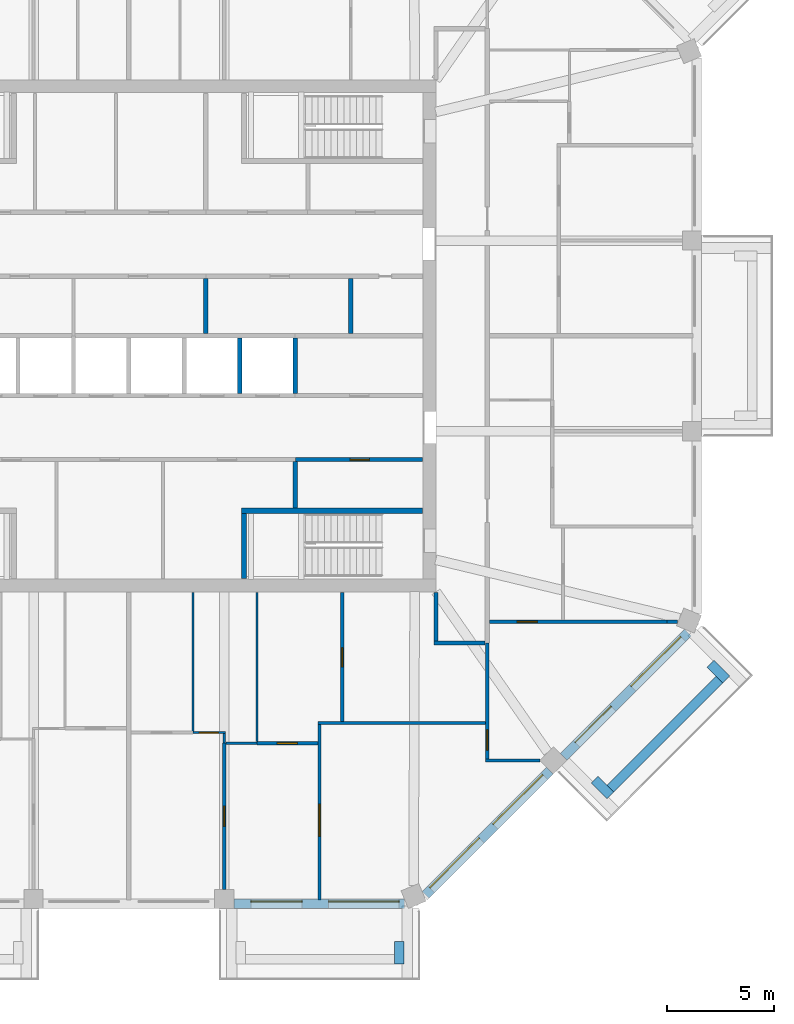
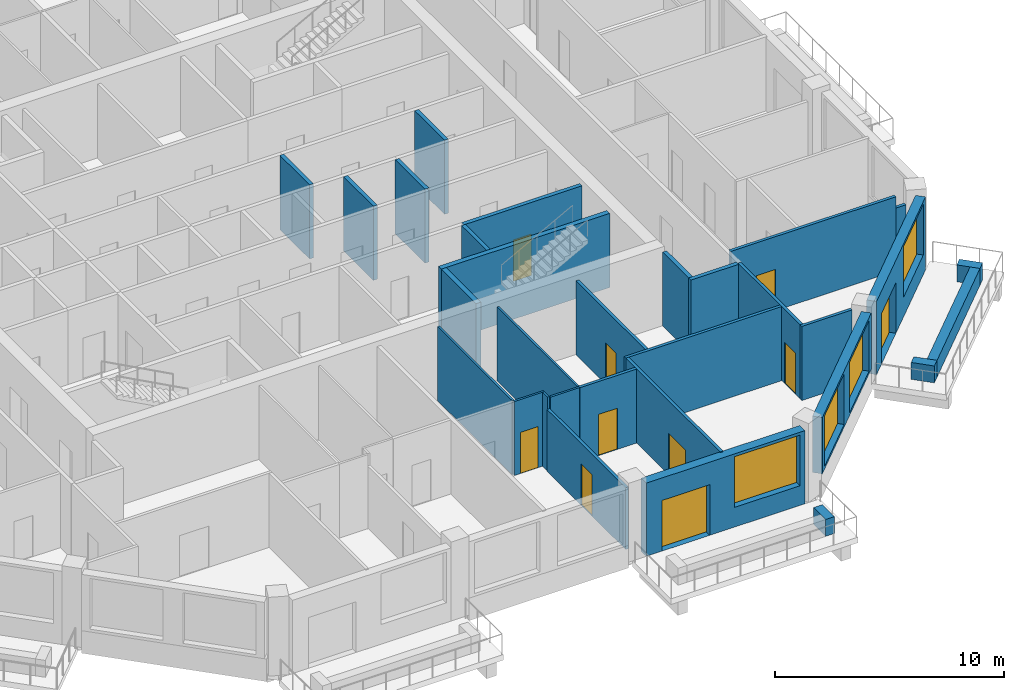
# One storey, part 5 of 12: 31 walls, 10 doors, 4 windows, 14 openings.
"""IFC4 building model written with IfcOpenShell, lengths in metres."""

from ifc_helpers import new_model, si_unit, direction, frame, frame_2d, origin, place, context, subcontext, project, spatial, rectangle, extrude, material, layer, layer_set, type_object, element, fill, save


model = new_model("IFC4")

# Units and contexts
model_context = context("Model", 3, precision=1e-05, world=origin(), true_north=direction((0.0, 1.0)))
body_context = subcontext(model_context, "Body", "Model", "MODEL_VIEW")
ifc_project = project(units=[si_unit("LENGTHUNIT", "METRE"), si_unit("AREAUNIT", "SQUARE_METRE"), si_unit("VOLUMEUNIT", "CUBIC_METRE"), si_unit("PLANEANGLEUNIT", "RADIAN"), si_unit("MASSUNIT", "GRAM", prefix="KILO")], contexts=[model_context])

# Site, building, storey
site_placement = place(None, origin())
site = spatial("IfcSite", under=ifc_project, at=site_placement, CompositionType="ELEMENT")
building_placement = place(site_placement, origin())
building = spatial("IfcBuilding", under=site, at=building_placement, Name="Msitu Wima Residences", CompositionType="ELEMENT")
storey_placement = place(building_placement, frame((0.0, 0.0, 251.699951171875)))
storey = spatial("IfcBuildingStorey", under=building, at=storey_placement, Name="L58", CompositionType="ELEMENT", Elevation=251.699951171875)

# Walls
ifc_material_1 = material(Name="Facing brick")
ifc_layer_1 = layer(ifc_material_1, 0.06494140625, Name="Facing brick")
ifc_material_2 = material(Name="Concrete C40/50", Category="concrete")
ifc_layer_2 = layer(ifc_material_2, 0.156005859375, Name="Concrete C40/50")
ifc_material_3 = material(Name="Waterproofing membrane")
ifc_layer_3 = layer(ifc_material_3, 0.00390625, Name="Waterproofing membrane")
ifc_material_4 = material(Name="Planting soil and planting")
ifc_layer_4 = layer(ifc_material_4, 0.22509765625, Name="Planting soil and planting")
ifc_layer_set_1 = layer_set([ifc_layer_1, ifc_layer_2, ifc_layer_3, ifc_layer_4], Name="Concrete C40/50")
wall_type_1 = type_object("IfcWallType", Name="Balcony planter PLANTER PL450", PredefinedType="USERDEFINED", material=ifc_layer_set_1)
wall_1_placement = place(storey_placement, frame((12.680908203125, -28.39990234375, 0.0), z_axis=(0.0, 0.0, 1.0), x_axis=(0.0, -1.0, 0.0)))
element("IfcWall", 1, at=wall_1_placement, inside=storey, type_object=wall_type_1, Name="Balcony planter S2 L58", ObjectType="PLANTER", PredefinedType="USERDEFINED", context=body_context, shape_type="SweptSolid", body=[
    extrude(rectangle(XDim=1.050048828125, YDim=0.449951171875, at=frame_2d((0.52490234375, 0.0))), origin(), (0.0, 0.0, 1.0), 0.900146484375),
])
wall_2_placement = place(storey_placement, frame((22.572265625, -21.228759765625, 0.0), z_axis=(0.0, 0.0, 1.0), x_axis=(0.707106781187, 0.707106781187, 0.0)))
element("IfcWall", 2, at=wall_2_placement, inside=storey, type_object=wall_type_1, Name="Balcony planter SE1 L58", ObjectType="PLANTER", PredefinedType="USERDEFINED", context=body_context, shape_type="SweptSolid", body=[
    extrude(rectangle(XDim=7.23828125, YDim=0.449951171875, at=frame_2d((3.619140625, 0.0))), origin(), (0.0, 0.0, 1.0), 0.900146484375),
])
for number, where, z_axis, x_axis, name in (
    (3, (21.829833984375, -20.804443359375, 0.0), (0.0, 0.0, 1.0), (0.707106781187, -0.707106781187, 0.0), "Balcony planter SE1 L58"),
    (4, (27.26611328125, -15.3681640625, 0.0), (0.0, 0.0, 1.0), (0.707223014731, -0.706990528533, 0.0), "Balcony planter SE1 L58"),
):
    element("IfcWall", number, at=place(storey_placement, frame(where, z_axis=z_axis, x_axis=x_axis)), inside=storey, type_object=wall_type_1, Name=name, ObjectType="PLANTER", PredefinedType="USERDEFINED", context=body_context, shape_type="SweptSolid", body=[
        extrude(rectangle(XDim=1.050048828125, YDim=0.449951171875, at=frame_2d((0.52490234375, 0.0))), origin(), (0.0, 0.0, 1.0), 0.900146484375),
    ])

# Wall, openings, door, window
ifc_material_5 = material(Name="Brick (red buff mix)", Category="masonry")
ifc_layer_5 = layer(ifc_material_5, 0.449951171875)
ifc_layer_set_2 = layer_set([ifc_layer_5], Name="Brick (red buff mix)")
wall_type_2 = type_object("IfcWallType", Name="Brick infill wall BW450", PredefinedType="SOLIDWALL", material=ifc_layer_set_2)
wall_3_placement = place(storey_placement, frame((4.918701171875, -26.625, 0.0), z_axis=(0.0, 0.0, 1.0), x_axis=(1.0, 0.0, 0.0)))
wall_3 = element("IfcWall", 5, at=wall_3_placement, inside=storey, type_object=wall_type_2, Name="Brick infill wall L58 S2", PredefinedType="SOLIDWALL", context=body_context, shape_type="SweptSolid", body=[
    extrude(rectangle(XDim=8.0, YDim=0.449951171875, at=frame_2d((4.0, 0.0))), origin(), (0.0, 0.0, 1.0), 3.900146484375),
])
opening_1_placement = place(wall_3_placement, frame((0.800048828125, 0.0, 0.0)))
opening_1 = element("IfcOpeningElement", 6, at=opening_1_placement, cuts=wall_3, Name="Opening D57-59.007", PredefinedType="OPENING", context=body_context, shape_type="SweptSolid", body=[
    extrude(rectangle(XDim=2.39990234375, YDim=2.699951171875, at=frame_2d((1.199951171875, 1.35009765625))), frame((0.0, 0.23486328125, 0.0), z_axis=(0.0, -1.0, 0.0), x_axis=(1.0, 0.0, 0.0)), (0.0, 0.0, 1.0), 0.469970703125),
])
opening_2_placement = place(wall_3_placement, frame((4.4501953125, 0.0, 1.050048828125)))
opening_2 = element("IfcOpeningElement", 7, at=opening_2_placement, cuts=wall_3, Name="Opening W57-59.019", PredefinedType="OPENING", context=body_context, shape_type="SweptSolid", body=[
    extrude(rectangle(XDim=3.300048828125, YDim=2.699951171875, at=frame_2d((1.64990234375, 1.35009765625))), frame((0.0, 0.23486328125, 0.0), z_axis=(0.0, -1.0, 0.0), x_axis=(1.0, 0.0, 0.0)), (0.0, 0.0, 1.0), 0.469970703125),
])
ifc_material_6 = material(Name="Anodised aluminium, bronze finish, clear low-emissivity double glazing", Category="aluminium")
door_type_1 = type_object("IfcDoorType", Name="Balcony door D2400x2700", OperationType="SLIDING_TO_LEFT", PredefinedType="DOOR", material=ifc_material_6)
door_1_placement = place(opening_1_placement, origin())
door_1 = element("IfcDoor", 8, at=door_1_placement, inside=storey, type_object=door_type_1, Name="Balcony door L58 S2", OperationType="SINGLE_SWING_LEFT", OverallHeight=2.699951171875, OverallWidth=2.39990234375, PredefinedType="DOOR", context=body_context, shape_type="SweptSolid", body=[
    extrude(rectangle(XDim=2.39990234375, YDim=2.699951171875, at=frame_2d((1.199951171875, 1.35009765625))), frame((0.0, 0.1298828125, 0.0), z_axis=(0.0, -1.0, 0.0), x_axis=(1.0, 0.0, 0.0)), (0.0, 0.0, 1.0), 0.050048828125),
])
fill(opening_1, door_1)
window_type = type_object("IfcWindowType", Name="Window W3300x2700", PartitioningType="DOUBLE_PANEL_VERTICAL", PredefinedType="WINDOW", material=ifc_material_6)
window_1_placement = place(opening_2_placement, origin())
window_1 = element("IfcWindow", 9, at=window_1_placement, inside=storey, type_object=window_type, Name="Window L58 S2.2", OverallHeight=2.699951171875, OverallWidth=3.300048828125, PartitioningType="SINGLE_PANEL", PredefinedType="WINDOW", context=body_context, shape_type="SweptSolid", body=[
    extrude(rectangle(XDim=3.300048828125, YDim=2.699951171875, at=frame_2d((1.64990234375, 1.35009765625))), frame((0.0, 0.135009765625, 0.0), z_axis=(0.0, -1.0, 0.0), x_axis=(1.0, 0.0, 0.0)), (0.0, 0.0, 1.0), 0.06005859375),
])
fill(opening_2, window_1)

# Wall, openings, windows
wall_4_placement = place(storey_placement, frame((13.909423828125, -26.214599609375, 0.900146484375), z_axis=(0.0, 0.0, 1.0), x_axis=(0.707106781187, 0.707106781187, 0.0)))
wall_4 = element("IfcWall", 10, at=wall_4_placement, inside=storey, type_object=wall_type_2, Name="Brick infill wall L58 SE0", PredefinedType="SOLIDWALL", context=body_context, shape_type="SweptSolid", body=[
    extrude(rectangle(XDim=8.251220703125, YDim=0.449951171875, at=frame_2d((4.12548828125, 0.0))), origin(), (0.0, 0.0, 1.0), 3.0),
])
opening_3_placement = place(wall_4_placement, frame((0.37548828125, 0.0, 0.14990234375)))
opening_3 = element("IfcOpeningElement", 11, at=opening_3_placement, cuts=wall_4, Name="Opening W57-59.020", PredefinedType="OPENING", context=body_context, shape_type="SweptSolid", body=[
    extrude(rectangle(XDim=3.300048828125, YDim=2.699951171875, at=frame_2d((1.64990234375, 1.35009765625))), frame((0.0, 0.23486328125, 0.0), z_axis=(0.0, -1.0, 0.0), x_axis=(1.0, 0.0, 0.0)), (0.0, 0.0, 1.0), 0.469970703125),
])
opening_4_placement = place(wall_4_placement, frame((4.57568359375, 0.0, 0.14990234375)))
opening_4 = element("IfcOpeningElement", 12, at=opening_4_placement, cuts=wall_4, Name="Opening W57-59.021", PredefinedType="OPENING", context=body_context, shape_type="SweptSolid", body=[
    extrude(rectangle(XDim=3.300048828125, YDim=2.699951171875, at=frame_2d((1.64990234375, 1.35009765625))), frame((0.0, 0.23486328125, 0.0), z_axis=(0.0, -1.0, 0.0), x_axis=(1.0, 0.0, 0.0)), (0.0, 0.0, 1.0), 0.469970703125),
])
window_2_placement = place(opening_3_placement, origin())
window_2 = element("IfcWindow", 13, at=window_2_placement, inside=storey, type_object=window_type, Name="Window L58 SE0.1", OverallHeight=2.699951171875, OverallWidth=3.300048828125, PartitioningType="SINGLE_PANEL", PredefinedType="WINDOW", context=body_context, shape_type="SweptSolid", body=[
    extrude(rectangle(XDim=3.300048828125, YDim=2.699951171875, at=frame_2d((1.64990234375, 1.35009765625))), frame((0.0, 0.135009765625, 0.0), z_axis=(0.0, -1.0, 0.0), x_axis=(1.0, 0.0, 0.0)), (0.0, 0.0, 1.0), 0.06005859375),
])
fill(opening_3, window_2)
window_3_placement = place(opening_4_placement, origin())
window_3 = element("IfcWindow", 14, at=window_3_placement, inside=storey, type_object=window_type, Name="Window L58 SE0.2", OverallHeight=2.699951171875, OverallWidth=3.300048828125, PartitioningType="SINGLE_PANEL", PredefinedType="WINDOW", context=body_context, shape_type="SweptSolid", body=[
    extrude(rectangle(XDim=3.300048828125, YDim=2.699951171875, at=frame_2d((1.64990234375, 1.35009765625))), frame((0.0, 0.135009765625, 0.0), z_axis=(0.0, -1.0, 0.0), x_axis=(1.0, 0.0, 0.0)), (0.0, 0.0, 1.0), 0.06005859375),
])
fill(opening_4, window_3)

# Wall, openings, door, window
wall_5_placement = place(storey_placement, frame((20.380126953125, -19.743896484375, 0.0), z_axis=(0.0, 0.0, 1.0), x_axis=(0.707106781187, 0.707106781187, 0.0)))
wall_5 = element("IfcWall", 15, at=wall_5_placement, inside=storey, type_object=wall_type_2, Name="Brick infill wall L58 SE1", PredefinedType="SOLIDWALL", context=body_context, shape_type="SweptSolid", body=[
    extrude(rectangle(XDim=8.251220703125, YDim=0.449951171875, at=frame_2d((4.12548828125, 0.0))), origin(), (0.0, 0.0, 1.0), 3.900146484375),
])
opening_5_placement = place(wall_5_placement, frame((0.86279296875, 0.0, 0.0)))
opening_5 = element("IfcOpeningElement", 16, at=opening_5_placement, cuts=wall_5, Name="Opening D57-59.008", PredefinedType="OPENING", context=body_context, shape_type="SweptSolid", body=[
    extrude(rectangle(XDim=2.39990234375, YDim=2.699951171875, at=frame_2d((1.199951171875, 1.35009765625))), frame((0.0, 0.23486328125, 0.0), z_axis=(0.0, -1.0, 0.0), x_axis=(1.0, 0.0, 0.0)), (0.0, 0.0, 1.0), 0.469970703125),
])
opening_6_placement = place(wall_5_placement, frame((4.57568359375, 0.0, 1.050048828125)))
opening_6 = element("IfcOpeningElement", 17, at=opening_6_placement, cuts=wall_5, Name="Opening W57-59.022", PredefinedType="OPENING", context=body_context, shape_type="SweptSolid", body=[
    extrude(rectangle(XDim=3.300048828125, YDim=2.699951171875, at=frame_2d((1.64990234375, 1.35009765625))), frame((0.0, 0.23486328125, 0.0), z_axis=(0.0, -1.0, 0.0), x_axis=(1.0, 0.0, 0.0)), (0.0, 0.0, 1.0), 0.469970703125),
])
door_2_placement = place(opening_5_placement, origin())
door_2 = element("IfcDoor", 18, at=door_2_placement, inside=storey, type_object=door_type_1, Name="Balcony door L58 SE1", OperationType="SINGLE_SWING_LEFT", OverallHeight=2.699951171875, OverallWidth=2.39990234375, PredefinedType="DOOR", context=body_context, shape_type="SweptSolid", body=[
    extrude(rectangle(XDim=2.39990234375, YDim=2.699951171875, at=frame_2d((1.199951171875, 1.35009765625))), frame((0.0, 0.1298828125, 0.0), z_axis=(0.0, -1.0, 0.0), x_axis=(1.0, 0.0, 0.0)), (0.0, 0.0, 1.0), 0.050048828125),
])
fill(opening_5, door_2)
window_4_placement = place(opening_6_placement, origin())
window_4 = element("IfcWindow", 19, at=window_4_placement, inside=storey, type_object=window_type, Name="Window L58 SE1.2", OverallHeight=2.699951171875, OverallWidth=3.300048828125, PartitioningType="SINGLE_PANEL", PredefinedType="WINDOW", context=body_context, shape_type="SweptSolid", body=[
    extrude(rectangle(XDim=3.300048828125, YDim=2.699951171875, at=frame_2d((1.64990234375, 1.35009765625))), frame((0.0, 0.135009765625, 0.0), z_axis=(0.0, -1.0, 0.0), x_axis=(1.0, 0.0, 0.0)), (0.0, 0.0, 1.0), 0.06005859375),
])
fill(opening_6, window_4)

# Walls
ifc_material_7 = material(Name="Plaster")
ifc_layer_6 = layer(ifc_material_7, 0.011962890625, Name="Plaster")
ifc_material_8 = material(Name="Concrete blockwork", Category="masonry")
ifc_layer_7 = layer(ifc_material_8, 0.176025390625, Name="Concrete blockwork")
ifc_layer_8 = layer(ifc_material_7, 0.011962890625, Name="Plaster")
ifc_layer_set_3 = layer_set([ifc_layer_6, ifc_layer_7, ifc_layer_8], Name="Concrete blockwork")
wall_type_3 = type_object("IfcWallType", Name="Corridor wall FW200", PredefinedType="PARTITIONING", material=ifc_layer_set_3)
wall_6_placement = place(storey_placement, frame((14.39990234375, -14.300048828125, 0.0), z_axis=(0.0, 0.0, 1.0), x_axis=(0.0, 1.0, 0.0)))
element("IfcWall", 20, at=wall_6_placement, inside=storey, type_object=wall_type_3, Name="Corridor wall", PredefinedType="PARTITIONING", context=body_context, shape_type="SweptSolid", body=[
    extrude(rectangle(XDim=2.27001953125, YDim=0.199951171875, at=frame_2d((1.135009765625, 0.0))), origin(), (0.0, 0.0, 1.0), 3.949951171875),
])
wall_7_placement = place(storey_placement, frame((14.300048828125, -14.39990234375, 0.0), z_axis=(0.0, 0.0, 1.0), x_axis=(1.0, 0.0, 0.0)))
element("IfcWall", 21, at=wall_7_placement, inside=storey, type_object=wall_type_3, Name="Corridor wall", PredefinedType="PARTITIONING", context=body_context, shape_type="SweptSolid", body=[
    extrude(rectangle(XDim=2.39990234375, YDim=0.199951171875, at=frame_2d((1.199951171875, 0.0))), origin(), (0.0, 0.0, 1.0), 3.949951171875),
])

# Wall, opening, door
ifc_layer_9 = layer(ifc_material_7, 0.011962890625, Name="Plaster")
ifc_layer_10 = layer(ifc_material_8, 0.1259765625, Name="Concrete blockwork")
ifc_layer_11 = layer(ifc_material_7, 0.011962890625, Name="Plaster")
ifc_layer_set_4 = layer_set([ifc_layer_9, ifc_layer_10, ifc_layer_11], Name="Concrete blockwork")
wall_type_4 = type_object("IfcWallType", Name="Partition PW150", PredefinedType="PARTITIONING", material=ifc_layer_set_4)
wall_8_placement = place(storey_placement, frame((4.46875, -25.949951171875, 0.0), z_axis=(0.0, 0.0, 1.0), x_axis=(0.0, 1.0, 0.0)))
wall_8 = element("IfcWall", 22, at=wall_8_placement, inside=storey, type_object=wall_type_4, Name="Partition", PredefinedType="PARTITIONING", context=body_context, shape_type="SweptSolid", body=[
    extrude(rectangle(XDim=6.869873046875, YDim=0.14990234375, at=frame_2d((3.43505859375, 0.0))), origin(), (0.0, 0.0, 1.0), 3.300048828125),
])
opening_7_placement = place(wall_8_placement, frame((2.949951171875, 0.0, 0.0)))
opening_7 = element("IfcOpeningElement", 23, at=opening_7_placement, cuts=wall_8, Name="Opening D57-59.052", PredefinedType="OPENING", context=body_context, shape_type="SweptSolid", body=[
    extrude(rectangle(XDim=0.949951171875, YDim=2.199951171875, at=frame_2d((0.47509765625, 1.10009765625))), frame((0.0, 0.0849609375, 0.0), z_axis=(0.0, -1.0, 0.0), x_axis=(1.0, 0.0, 0.0)), (0.0, 0.0, 1.0), 0.169921875),
])
ifc_material_9 = material(Name="Timber flush door", Category="wood")
door_type_2 = type_object("IfcDoorType", Name="Room door D12 950x2200", OperationType="SINGLE_SWING_LEFT", PredefinedType="DOOR", material=ifc_material_9)
door_3_placement = place(opening_7_placement, origin())
door_3 = element("IfcDoor", 24, at=door_3_placement, inside=storey, type_object=door_type_2, Name="Room door", OperationType="SINGLE_SWING_LEFT", OverallHeight=2.199951171875, OverallWidth=0.949951171875, PredefinedType="DOOR", context=body_context, shape_type="SweptSolid", body=[
    extrude(rectangle(XDim=0.949951171875, YDim=2.199951171875, at=frame_2d((0.47509765625, 1.10009765625))), frame((0.0, 0.02490234375, 0.0), z_axis=(0.0, -1.0, 0.0), x_axis=(1.0, 0.0, 0.0)), (0.0, 0.0, 1.0), 0.050048828125),
])
fill(opening_7, door_3)

wall_9_placement = place(storey_placement, frame((6.0, -19.10009765625, 0.0), z_axis=(0.0, 0.0, 1.0), x_axis=(1.0, 0.0, 0.0)))
wall_9 = element("IfcWall", 25, at=wall_9_placement, inside=storey, type_object=wall_type_4, Name="Partition", PredefinedType="PARTITIONING", context=body_context, shape_type="SweptSolid", body=[
    extrude(rectangle(XDim=2.8623046875, YDim=0.14990234375, at=frame_2d((1.43115234375, 0.0))), origin(), (0.0, 0.0, 1.0), 3.949951171875),
])
opening_8_placement = place(wall_9_placement, frame((0.949951171875, 0.0, 0.0)))
opening_8 = element("IfcOpeningElement", 26, at=opening_8_placement, cuts=wall_9, Name="Opening D57-59.061", PredefinedType="OPENING", context=body_context, shape_type="SweptSolid", body=[
    extrude(rectangle(XDim=0.949951171875, YDim=2.199951171875, at=frame_2d((0.47509765625, 1.10009765625))), frame((0.0, 0.0849609375, 0.0), z_axis=(0.0, -1.0, 0.0), x_axis=(1.0, 0.0, 0.0)), (0.0, 0.0, 1.0), 0.169921875),
])
door_4_placement = place(opening_8_placement, origin())
door_4 = element("IfcDoor", 27, at=door_4_placement, inside=storey, type_object=door_type_2, Name="Room door", OperationType="SINGLE_SWING_LEFT", OverallHeight=2.199951171875, OverallWidth=0.949951171875, PredefinedType="DOOR", context=body_context, shape_type="SweptSolid", body=[
    extrude(rectangle(XDim=0.949951171875, YDim=2.199951171875, at=frame_2d((0.47509765625, 1.10009765625))), frame((0.0, 0.02490234375, 0.0), z_axis=(0.0, -1.0, 0.0), x_axis=(1.0, 0.0, 0.0)), (0.0, 0.0, 1.0), 0.050048828125),
])
fill(opening_8, door_4)

wall_10_placement = place(storey_placement, frame((8.937255859375, -26.455078125, 0.0), z_axis=(0.0, 0.0, 1.0), x_axis=(0.0, 1.0, 0.0)))
wall_10 = element("IfcWall", 28, at=wall_10_placement, inside=storey, type_object=wall_type_4, Name="Partition", PredefinedType="PARTITIONING", context=body_context, shape_type="SweptSolid", body=[
    extrude(rectangle(XDim=8.22998046875, YDim=0.14990234375, at=frame_2d((4.114990234375, 0.0))), origin(), (0.0, 0.0, 1.0), 3.949951171875),
])
opening_9_placement = place(wall_10_placement, frame((3.0, 0.0, 0.0)))
opening_9 = element("IfcOpeningElement", 29, at=opening_9_placement, cuts=wall_10, Name="Opening D57-59.060", PredefinedType="OPENING", context=body_context, shape_type="SweptSolid", body=[
    extrude(rectangle(XDim=1.5, YDim=2.199951171875, at=frame_2d((0.75, 1.10009765625))), frame((0.0, 0.0849609375, 0.0), z_axis=(0.0, -1.0, 0.0), x_axis=(1.0, 0.0, 0.0)), (0.0, 0.0, 1.0), 0.169921875),
])
ifc_material_10 = material(Name="Timber double door", Category="wood")
door_type_3 = type_object("IfcDoorType", Name="Double door D04 1500x2200", OperationType="DOUBLE_DOOR_SINGLE_SWING", PredefinedType="DOOR", material=ifc_material_10)
door_5_placement = place(opening_9_placement, origin())
door_5 = element("IfcDoor", 30, at=door_5_placement, inside=storey, type_object=door_type_3, Name="Double door", OperationType="DOUBLE_DOOR_SINGLE_SWING", OverallHeight=2.199951171875, OverallWidth=1.5, PredefinedType="DOOR", context=body_context, shape_type="SweptSolid", body=[
    extrude(rectangle(XDim=1.5, YDim=2.199951171875, at=frame_2d((0.75, 1.10009765625))), frame((0.0, 0.02490234375, 0.0), z_axis=(0.0, -1.0, 0.0), x_axis=(1.0, 0.0, 0.0)), (0.0, 0.0, 1.0), 0.050048828125),
])
fill(opening_9, door_5)

# Wall
wall_11_placement = place(storey_placement, frame((8.8623046875, -18.14990234375, 0.0), z_axis=(0.0, 0.0, 1.0), x_axis=(1.0, 0.0, 0.0)))
element("IfcWall", 31, at=wall_11_placement, inside=storey, type_object=wall_type_4, Name="Partition", PredefinedType="PARTITIONING", context=body_context, shape_type="SweptSolid", body=[
    extrude(rectangle(XDim=7.86279296875, YDim=0.14990234375, at=frame_2d((3.931396484375, 0.0))), origin(), (0.0, 0.0, 1.0), 3.949951171875),
])

# Wall, opening, door
wall_12_placement = place(storey_placement, frame((10.0, -18.074951171875, 0.0), z_axis=(0.0, 0.0, 1.0), x_axis=(0.0, 1.0, 0.0)))
wall_12 = element("IfcWall", 32, at=wall_12_placement, inside=storey, type_object=wall_type_4, Name="Partition", PredefinedType="PARTITIONING", context=body_context, shape_type="SweptSolid", body=[
    extrude(rectangle(XDim=6.044921875, YDim=0.14990234375, at=frame_2d((3.0224609375, 0.0))), origin(), (0.0, 0.0, 1.0), 3.949951171875),
])
opening_10_placement = place(wall_12_placement, frame((2.550048828125, 0.0, 0.0)))
opening_10 = element("IfcOpeningElement", 33, at=opening_10_placement, cuts=wall_12, Name="Opening D57-59.062", PredefinedType="OPENING", context=body_context, shape_type="SweptSolid", body=[
    extrude(rectangle(XDim=0.89990234375, YDim=2.199951171875, at=frame_2d((0.449951171875, 1.10009765625))), frame((0.0, 0.0849609375, 0.0), z_axis=(0.0, -1.0, 0.0), x_axis=(1.0, 0.0, 0.0)), (0.0, 0.0, 1.0), 0.169921875),
])
door_type_4 = type_object("IfcDoorType", Name="Service door D05 900x2200", OperationType="SINGLE_SWING_LEFT", PredefinedType="DOOR", material=ifc_material_9)
door_6_placement = place(opening_10_placement, origin())
door_6 = element("IfcDoor", 34, at=door_6_placement, inside=storey, type_object=door_type_4, Name="Service door", OperationType="SINGLE_SWING_RIGHT", OverallHeight=2.199951171875, OverallWidth=0.89990234375, PredefinedType="DOOR", context=body_context, shape_type="SweptSolid", body=[
    extrude(rectangle(XDim=0.89990234375, YDim=2.199951171875, at=frame_2d((0.449951171875, 1.10009765625))), frame((0.0, 0.02490234375, 0.0), z_axis=(0.0, -1.0, 0.0), x_axis=(1.0, 0.0, 0.0)), (0.0, 0.0, 1.0), 0.050048828125),
])
fill(opening_10, door_6)

wall_13_placement = place(storey_placement, frame((16.800048828125, -19.827880859375, 0.0), z_axis=(0.0, 0.0, 1.0), x_axis=(0.0, 1.0, 0.0)))
wall_13 = element("IfcWall", 35, at=wall_13_placement, inside=storey, type_object=wall_type_4, Name="Partition", PredefinedType="PARTITIONING", context=body_context, shape_type="SweptSolid", body=[
    extrude(rectangle(XDim=5.427978515625, YDim=0.14990234375, at=frame_2d((2.7138671875, 0.0))), origin(), (0.0, 0.0, 1.0), 3.949951171875),
])
opening_11_placement = place(wall_13_placement, frame((0.39990234375, 0.0, 0.0)))
opening_11 = element("IfcOpeningElement", 36, at=opening_11_placement, cuts=wall_13, Name="Opening D57-59.059", PredefinedType="OPENING", context=body_context, shape_type="SweptSolid", body=[
    extrude(rectangle(XDim=0.949951171875, YDim=2.199951171875, at=frame_2d((0.47509765625, 1.10009765625))), frame((0.0, 0.0849609375, 0.0), z_axis=(0.0, -1.0, 0.0), x_axis=(1.0, 0.0, 0.0)), (0.0, 0.0, 1.0), 0.169921875),
])
door_7_placement = place(opening_11_placement, origin())
door_7 = element("IfcDoor", 37, at=door_7_placement, inside=storey, type_object=door_type_2, Name="Room door", OperationType="SINGLE_SWING_RIGHT", OverallHeight=2.199951171875, OverallWidth=0.949951171875, PredefinedType="DOOR", context=body_context, shape_type="SweptSolid", body=[
    extrude(rectangle(XDim=0.949951171875, YDim=2.199951171875, at=frame_2d((0.47509765625, 1.10009765625))), frame((0.0, 0.02490234375, 0.0), z_axis=(0.0, -1.0, 0.0), x_axis=(1.0, 0.0, 0.0)), (0.0, 0.0, 1.0), 0.050048828125),
])
fill(opening_11, door_7)

# Wall
wall_14_placement = place(storey_placement, frame((16.72509765625, -19.90283203125, 0.0), z_axis=(0.0, 0.0, 1.0), x_axis=(1.0, 0.0, 0.0)))
element("IfcWall", 38, at=wall_14_placement, inside=storey, type_object=wall_type_4, Name="Partition", PredefinedType="PARTITIONING", context=body_context, shape_type="SweptSolid", body=[
    extrude(rectangle(XDim=2.54150390625, YDim=0.14990234375, at=frame_2d((1.270751953125, 0.0))), origin(), (0.0, 0.0, 1.0), 3.949951171875),
])

# Wall, opening, door
wall_15_placement = place(storey_placement, frame((16.89990234375, -13.406005859375, 0.0), z_axis=(0.0, 0.0, 1.0), x_axis=(1.0, 0.0, 0.0)))
wall_15 = element("IfcWall", 39, at=wall_15_placement, inside=storey, type_object=wall_type_4, Name="Partition", PredefinedType="PARTITIONING", context=body_context, shape_type="SweptSolid", body=[
    extrude(rectangle(XDim=8.32421875, YDim=0.14990234375, at=frame_2d((4.162109375, 0.0))), origin(), (0.0, 0.0, 1.0), 3.949951171875),
])
opening_12_placement = place(wall_15_placement, frame((1.300048828125, 0.0, 0.0)))
opening_12 = element("IfcOpeningElement", 40, at=opening_12_placement, cuts=wall_15, Name="Opening D57-59.058", PredefinedType="OPENING", context=body_context, shape_type="SweptSolid", body=[
    extrude(rectangle(XDim=0.949951171875, YDim=2.199951171875, at=frame_2d((0.47509765625, 1.10009765625))), frame((0.0, 0.0849609375, 0.0), z_axis=(0.0, -1.0, 0.0), x_axis=(1.0, 0.0, 0.0)), (0.0, 0.0, 1.0), 0.169921875),
])
door_8_placement = place(opening_12_placement, origin())
door_8 = element("IfcDoor", 41, at=door_8_placement, inside=storey, type_object=door_type_2, Name="Room door", OperationType="SINGLE_SWING_RIGHT", OverallHeight=2.199951171875, OverallWidth=0.949951171875, PredefinedType="DOOR", context=body_context, shape_type="SweptSolid", body=[
    extrude(rectangle(XDim=0.949951171875, YDim=2.199951171875, at=frame_2d((0.47509765625, 1.10009765625))), frame((0.0, 0.02490234375, 0.0), z_axis=(0.0, -1.0, 0.0), x_axis=(1.0, 0.0, 0.0)), (0.0, 0.0, 1.0), 0.050048828125),
])
fill(opening_12, door_8)

# Walls
wall_16_placement = place(storey_placement, frame((25.22412109375, -13.406005859375, 0.0), z_axis=(0.0, 0.0, 1.0), x_axis=(1.0, 0.0, 0.0)))
element("IfcWall", 42, at=wall_16_placement, inside=storey, type_object=wall_type_4, Name="Partition", PredefinedType="PARTITIONING", context=body_context, shape_type="SweptSolid", body=[
    extrude(rectangle(XDim=0.507080078125, YDim=0.14990234375, at=frame_2d((0.25341796875, 0.0))), origin(), (0.0, 0.0, 1.0), 3.35009765625),
])
ifc_layer_12 = layer(ifc_material_7, 0.011962890625, Name="Plaster")
ifc_material_11 = material(Name="Reinforced concrete blockwork", Category="masonry")
ifc_layer_13 = layer(ifc_material_11, 0.176025390625, Name="Reinforced concrete blockwork")
ifc_layer_14 = layer(ifc_material_7, 0.011962890625, Name="Plaster")
ifc_layer_set_5 = layer_set([ifc_layer_12, ifc_layer_13, ifc_layer_14], Name="Reinforced concrete blockwork")
wall_type_5 = type_object("IfcWallType", Name="Plant and riser wall PL200", PredefinedType="PARTITIONING", material=ifc_layer_set_5)
wall_17_placement = place(storey_placement, frame((3.60009765625, 0.10009765625, 0.0), z_axis=(0.0, 0.0, 1.0), x_axis=(0.0, 1.0, 0.0)))
element("IfcWall", 43, at=wall_17_placement, inside=storey, type_object=wall_type_5, Name="Plant and riser wall", PredefinedType="PARTITIONING", context=body_context, shape_type="SweptSolid", body=[
    extrude(rectangle(XDim=2.599853515625, YDim=0.199951171875, at=frame_2d((1.2998046875, 0.0))), origin(), (0.0, 0.0, 1.0), 3.949951171875),
])

# Wall, opening, door
wall_18_placement = place(storey_placement, frame((7.820068359375, -5.800048828125, 0.0), z_axis=(0.0, 0.0, 1.0), x_axis=(1.0, 0.0, 0.0)))
wall_18 = element("IfcWall", 44, at=wall_18_placement, inside=storey, type_object=wall_type_5, Name="Plant and riser wall", PredefinedType="PARTITIONING", context=body_context, shape_type="SweptSolid", body=[
    extrude(rectangle(XDim=5.949951171875, YDim=0.199951171875, at=frame_2d((2.97509765625, 0.0))), origin(), (0.0, 0.0, 1.0), 3.949951171875),
])
opening_13_placement = place(wall_18_placement, frame((2.550048828125, 0.0, 0.0)))
opening_13 = element("IfcOpeningElement", 45, at=opening_13_placement, cuts=wall_18, Name="Opening D57-59.076", PredefinedType="OPENING", context=body_context, shape_type="SweptSolid", body=[
    extrude(rectangle(XDim=0.89990234375, YDim=2.199951171875, at=frame_2d((0.449951171875, 1.10009765625))), frame((0.0, 0.10986328125, 0.0), z_axis=(0.0, -1.0, 0.0), x_axis=(1.0, 0.0, 0.0)), (0.0, 0.0, 1.0), 0.219970703125),
])
door_9_placement = place(opening_13_placement, origin())
door_9 = element("IfcDoor", 46, at=door_9_placement, inside=storey, type_object=door_type_4, Name="Service door", OperationType="SINGLE_SWING_RIGHT", OverallHeight=2.199951171875, OverallWidth=0.89990234375, PredefinedType="DOOR", context=body_context, shape_type="SweptSolid", body=[
    extrude(rectangle(XDim=0.89990234375, YDim=2.199951171875, at=frame_2d((0.449951171875, 1.10009765625))), frame((0.0, 0.02490234375, 0.0), z_axis=(0.0, -1.0, 0.0), x_axis=(1.0, 0.0, 0.0)), (0.0, 0.0, 1.0), 0.050048828125),
])
fill(opening_13, door_9)

# Walls
wall_19_placement = place(storey_placement, frame((7.800048828125, -8.074951171875, 0.0), z_axis=(0.0, 0.0, 1.0), x_axis=(0.0, 1.0, 0.0)))
element("IfcWall", 47, at=wall_19_placement, inside=storey, type_object=wall_type_5, Name="Plant and riser wall", PredefinedType="PARTITIONING", context=body_context, shape_type="SweptSolid", body=[
    extrude(rectangle(XDim=2.175048828125, YDim=0.199951171875, at=frame_2d((1.08740234375, 0.0))), origin(), (0.0, 0.0, 1.0), 3.949951171875),
])
wall_20_placement = place(storey_placement, frame((10.39990234375, 0.10009765625, 0.0), z_axis=(0.0, 0.0, 1.0), x_axis=(0.0, 1.0, 0.0)))
element("IfcWall", 48, at=wall_20_placement, inside=storey, type_object=wall_type_5, Name="Plant and riser wall", PredefinedType="PARTITIONING", context=body_context, shape_type="SweptSolid", body=[
    extrude(rectangle(XDim=2.599853515625, YDim=0.199951171875, at=frame_2d((1.2998046875, 0.0))), origin(), (0.0, 0.0, 1.0), 3.949951171875),
])
ifc_material_12 = material(Name="Fire-rated board")
ifc_layer_15 = layer(ifc_material_12, 0.02490234375, Name="Fire-rated board")
ifc_material_13 = material(Name="Light-gauge stud framing with mineral wool")
ifc_layer_16 = layer(ifc_material_13, 0.14990234375, Name="Light-gauge stud framing with mineral wool")
ifc_layer_17 = layer(ifc_material_12, 0.02490234375, Name="Fire-rated board")
ifc_layer_set_6 = layer_set([ifc_layer_15, ifc_layer_16, ifc_layer_17], Name="Light-gauge stud framing with mineral wool")
wall_type_6 = type_object("IfcWallType", Name="Shaft wall SH200", PredefinedType="PARTITIONING", material=ifc_layer_set_6)
for number, where, z_axis, x_axis, name in (
    (49, (5.199951171875, -2.699951171875, 0.0), (0.0, 0.0, 1.0), (0.0, 1.0, 0.0), "Shaft wall"),
    (50, (7.800048828125, -2.699951171875, 0.0), (0.0, 0.0, 1.0), (0.0, 1.0, 0.0), "Shaft wall"),
):
    element("IfcWall", number, at=place(storey_placement, frame(where, z_axis=z_axis, x_axis=x_axis)), inside=storey, type_object=wall_type_6, Name=name, PredefinedType="PARTITIONING", context=body_context, shape_type="SweptSolid", body=[
        extrude(rectangle(XDim=2.599853515625, YDim=0.199951171875, at=frame_2d((1.2998046875, 0.0))), origin(), (0.0, 0.0, 1.0), 3.949951171875),
    ])
ifc_material_14 = material(Name="Concrete C50/60", Category="concrete")
ifc_layer_18 = layer(ifc_material_14, 0.25)
ifc_layer_set_7 = layer_set([ifc_layer_18], Name="Concrete C50/60")
wall_type_7 = type_object("IfcWallType", Name="Stair enclosure wall SW250", PredefinedType="SHEAR", material=ifc_layer_set_7)
wall_21_placement = place(storey_placement, frame((5.39990234375, -11.3701171875, 0.0), z_axis=(0.0, 0.0, 1.0), x_axis=(0.0, 1.0, 0.0)))
element("IfcWall", 51, at=wall_21_placement, inside=storey, type_object=wall_type_7, Name="Stair enclosure wall", PredefinedType="SHEAR", context=body_context, shape_type="SweptSolid", body=[
    extrude(rectangle(XDim=3.045166015625, YDim=0.25, at=frame_2d((1.5224609375, 0.0))), origin(), (0.0, 0.0, 1.0), 3.949951171875),
])
wall_22_placement = place(storey_placement, frame((5.27490234375, -8.199951171875, 0.0), z_axis=(0.0, 0.0, 1.0), x_axis=(1.0, 0.0, 0.0)))
element("IfcWall", 52, at=wall_22_placement, inside=storey, type_object=wall_type_7, Name="Stair enclosure wall", PredefinedType="SHEAR", context=body_context, shape_type="SweptSolid", body=[
    extrude(rectangle(XDim=8.4951171875, YDim=0.25, at=frame_2d((4.24755859375, 0.0))), origin(), (0.0, 0.0, 1.0), 3.949951171875),
])

# Wall, opening, door
ifc_material_15 = material(Name="Ceramic tiles")
ifc_layer_19 = layer(ifc_material_15, 0.008056640625, Name="Ceramic tiles")
ifc_material_16 = material(Name="Moisture-resistant board")
ifc_layer_20 = layer(ifc_material_16, 0.012451171875, Name="Moisture-resistant board")
ifc_layer_21 = layer(ifc_material_13, 0.06689453125, Name="Light-gauge stud framing with mineral wool")
ifc_layer_22 = layer(ifc_material_16, 0.012451171875, Name="Moisture-resistant board")
ifc_layer_set_8 = layer_set([ifc_layer_19, ifc_layer_20, ifc_layer_21, ifc_layer_22], Name="Light-gauge stud framing with mineral wool")
wall_type_8 = type_object("IfcWallType", Name="Wet wall PW100", PredefinedType="PARTITIONING", material=ifc_layer_set_8)
wall_23_placement = place(storey_placement, frame((3.0, -18.60009765625, 0.0), z_axis=(0.0, 0.0, 1.0), x_axis=(1.0, 0.0, 0.0)))
wall_23 = element("IfcWall", 53, at=wall_23_placement, inside=storey, type_object=wall_type_8, Name="Wet wall", PredefinedType="PARTITIONING", context=body_context, shape_type="SweptSolid", body=[
    extrude(rectangle(XDim=1.5185546875, YDim=0.10009765625, at=frame_2d((0.75927734375, 0.0))), origin(), (0.0, 0.0, 1.0), 3.949951171875),
])
opening_14_placement = place(wall_23_placement, frame((0.300048828125, 0.0, 0.0)))
opening_14 = element("IfcOpeningElement", 54, at=opening_14_placement, cuts=wall_23, Name="Opening D57-59.054", PredefinedType="OPENING", context=body_context, shape_type="SweptSolid", body=[
    extrude(rectangle(XDim=0.89990234375, YDim=2.199951171875, at=frame_2d((0.449951171875, 1.10009765625))), frame((0.0, 0.06005859375, 0.0), z_axis=(0.0, -1.0, 0.0), x_axis=(1.0, 0.0, 0.0)), (0.0, 0.0, 1.0), 0.1201171875),
])
ifc_material_17 = material(Name="Timber flush door, moisture resistant", Category="wood")
door_type_5 = type_object("IfcDoorType", Name="Bathroom door D03 900x2200", OperationType="SINGLE_SWING_LEFT", PredefinedType="DOOR", material=ifc_material_17)
door_10_placement = place(opening_14_placement, origin())
door_10 = element("IfcDoor", 55, at=door_10_placement, inside=storey, type_object=door_type_5, Name="Bathroom door", OperationType="SINGLE_SWING_LEFT", OverallHeight=2.199951171875, OverallWidth=0.89990234375, PredefinedType="DOOR", context=body_context, shape_type="SweptSolid", body=[
    extrude(rectangle(XDim=0.89990234375, YDim=2.199951171875, at=frame_2d((0.449951171875, 1.10009765625))), frame((0.0, 0.02490234375, 0.0), z_axis=(0.0, -1.0, 0.0), x_axis=(1.0, 0.0, 0.0)), (0.0, 0.0, 1.0), 0.050048828125),
])
fill(opening_14, door_10)

# Walls
wall_24_placement = place(storey_placement, frame((3.0, -18.550048828125, 0.0), z_axis=(0.0, 0.0, 1.0), x_axis=(0.0, 1.0, 0.0)))
element("IfcWall", 56, at=wall_24_placement, inside=storey, type_object=wall_type_8, Name="Wet wall", PredefinedType="PARTITIONING", context=body_context, shape_type="SweptSolid", body=[
    extrude(rectangle(XDim=6.52001953125, YDim=0.10009765625, at=frame_2d((3.260009765625, 0.0))), origin(), (0.0, 0.0, 1.0), 3.949951171875),
])
wall_25_placement = place(storey_placement, frame((4.46875, -19.080078125, 0.0), z_axis=(0.0, 0.0, 1.0), x_axis=(0.0, 1.0, 0.0)))
element("IfcWall", 57, at=wall_25_placement, inside=storey, type_object=wall_type_8, Name="Wet wall", PredefinedType="PARTITIONING", context=body_context, shape_type="SweptSolid", body=[
    extrude(rectangle(XDim=0.43017578125, YDim=0.10009765625, at=frame_2d((0.215087890625, 0.0))), origin(), (0.0, 0.0, 1.0), 3.949951171875),
])
wall_26_placement = place(storey_placement, frame((4.543701171875, -19.10009765625, 0.0), z_axis=(0.0, 0.0, 1.0), x_axis=(1.0, 0.0, 0.0)))
element("IfcWall", 58, at=wall_26_placement, inside=storey, type_object=wall_type_8, Name="Wet wall", PredefinedType="PARTITIONING", context=body_context, shape_type="SweptSolid", body=[
    extrude(rectangle(XDim=1.456298828125, YDim=0.10009765625, at=frame_2d((0.72802734375, 0.0))), origin(), (0.0, 0.0, 1.0), 3.949951171875),
])
wall_27_placement = place(storey_placement, frame((6.0, -19.02490234375, 0.0), z_axis=(0.0, 0.0, 1.0), x_axis=(0.0, 1.0, 0.0)))
element("IfcWall", 59, at=wall_27_placement, inside=storey, type_object=wall_type_8, Name="Wet wall", PredefinedType="PARTITIONING", context=body_context, shape_type="SweptSolid", body=[
    extrude(rectangle(XDim=6.994873046875, YDim=0.10009765625, at=frame_2d((3.49755859375, 0.0))), origin(), (0.0, 0.0, 1.0), 3.949951171875),
])

save(model, "model.ifc")
